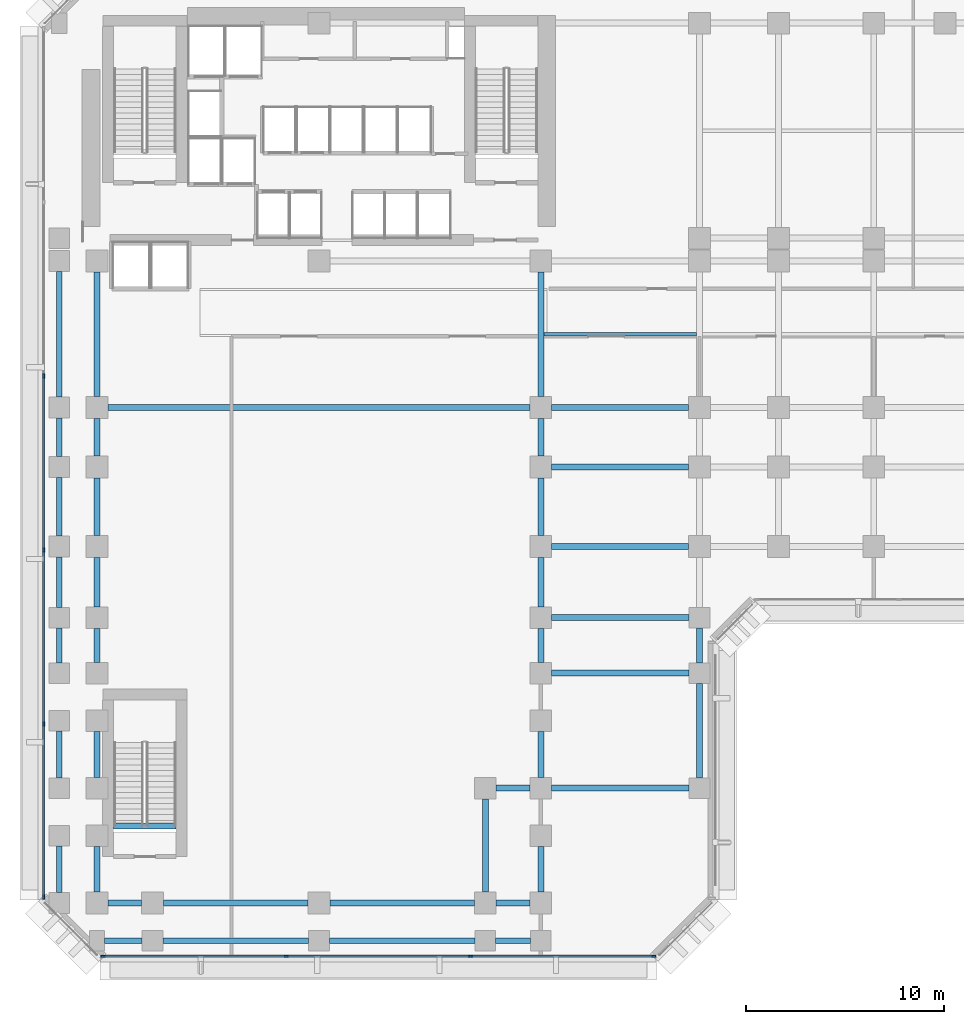
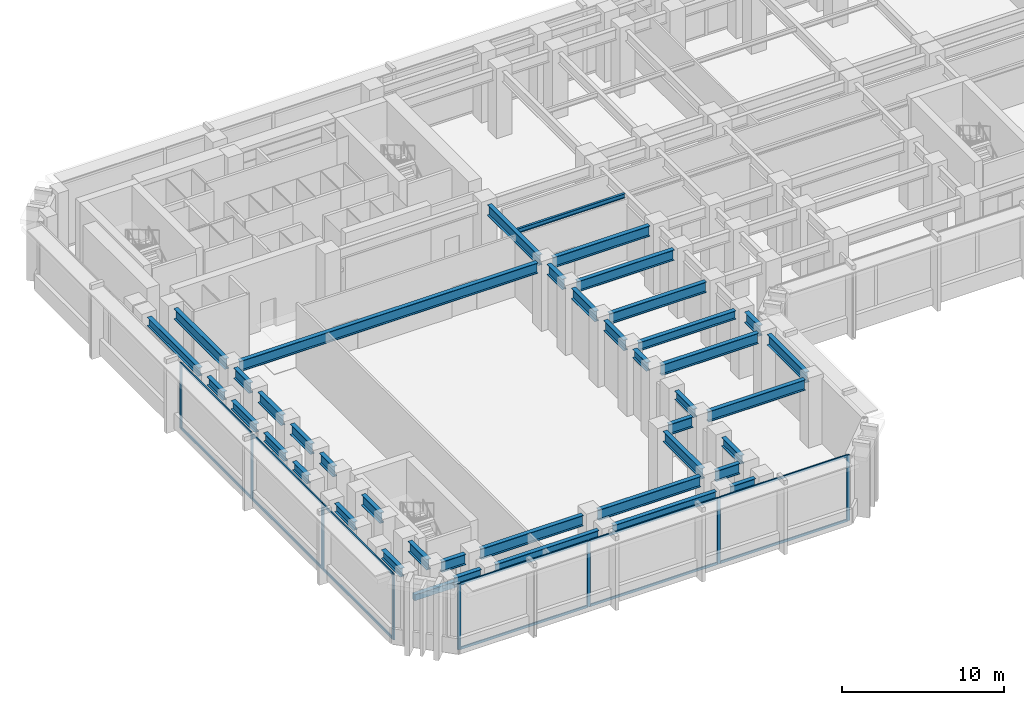
# One storey, part 2 of 16: 42 beams, 20 members, 2 elements without a shape of their own.
"""IFC4 building model written with IfcOpenShell, lengths in metres."""

from ifc_helpers import new_model, si_unit, direction, frame, origin, origin_2d, place, context, subcontext, project, spatial, rectangle, i_section, extrude, material, layer, layer_set, material_profile, profile_set, type_object, element, aggregate, save


model = new_model("IFC4")

# Units and contexts
model_context = context("Model", 3, precision=1e-05, world=origin(), true_north=direction((0.0, 1.0)))
body_context = subcontext(model_context, "Body", "Model", "MODEL_VIEW")
ifc_project = project(units=[si_unit("LENGTHUNIT", "METRE"), si_unit("AREAUNIT", "SQUARE_METRE"), si_unit("VOLUMEUNIT", "CUBIC_METRE"), si_unit("PLANEANGLEUNIT", "RADIAN"), si_unit("MASSUNIT", "GRAM", prefix="KILO")], contexts=[model_context])

# Site, building, storey
site_placement = place(None, origin())
site = spatial("IfcSite", under=ifc_project, at=site_placement, CompositionType="ELEMENT")
building_placement = place(site_placement, origin())
building = spatial("IfcBuilding", under=site, at=building_placement, Name="Kefirva Bronze Tower", CompositionType="ELEMENT")
storey_placement = place(building_placement, frame((0.0, 0.0, 11.219970703125)))
storey = spatial("IfcBuildingStorey", under=building, at=storey_placement, Name="L02", CompositionType="ELEMENT", Elevation=11.219970703125)

# Curtain wall, members
ifc_material_1 = material(Name="Bronze anodised aluminium", Category="aluminium")
ifc_layer = layer(ifc_material_1, 0.239990234375, Name="Bronze anodised aluminium")
ifc_layer_set = layer_set([ifc_layer], Name="Bronze anodised aluminium")
curtain_wall_type = type_object("IfcCurtainWallType", Name="Podium Double-Height Glazed Curtain Wall", PredefinedType="USERDEFINED", material=ifc_layer_set)
curtain_wall_1_placement = place(storey_placement, origin())
curtain_wall_1 = element("IfcCurtainWall", 1, at=curtain_wall_1_placement, inside=storey, type_object=curtain_wall_type, Name="L02 Curtain Wall 1", ObjectType="UNITISED CURTAIN WALL", PredefinedType="USERDEFINED")
ifc_material_profile_1 = material_profile(ifc_material_1, rectangle(XDim=0.090087890625, YDim=0.219970703125, at=origin_2d()), Name="ALU 90x220")
ifc_profile_set_1 = profile_set([ifc_material_profile_1], Name="Bronze anodised aluminium")
member_type_1 = type_object("IfcMemberType", Name="Bronze Mullion 90x220", PredefinedType="MULLION", material=ifc_profile_set_1)
member_1_placement = place(storey_placement, frame((1.10009765625, -1.8798828125, 0.0), z_axis=(0.0, 0.0, 1.0), x_axis=(0.0, 1.0, 0.0)))
member_1 = element("IfcMember", 2, at=member_1_placement, type_object=member_type_1, Name="CW-05 mullion 1", PredefinedType="MULLION", context=body_context, shape_type="SweptSolid", body=[
    extrude(rectangle(XDim=0.090087890625, YDim=0.219970703125, at=origin_2d()), origin(), (0.0, 0.0, 1.0), 4.9599609375),
])
member_2_placement = place(storey_placement, frame((10.3515625, -1.8798828125, 0.0), z_axis=(0.0, 0.0, 1.0), x_axis=(0.0, 1.0, 0.0)))
member_2 = element("IfcMember", 3, at=member_2_placement, type_object=member_type_1, Name="CW-05 mullion 2", PredefinedType="MULLION", context=body_context, shape_type="SweptSolid", body=[
    extrude(rectangle(XDim=0.090087890625, YDim=0.219970703125, at=origin_2d()), origin(), (0.0, 0.0, 1.0), 4.9599609375),
])
member_3_placement = place(storey_placement, frame((19.6484375, -1.8798828125, 0.0), z_axis=(0.0, 0.0, 1.0), x_axis=(0.0, 1.0, 0.0)))
member_3 = element("IfcMember", 4, at=member_3_placement, type_object=member_type_1, Name="CW-05 mullion 3", PredefinedType="MULLION", context=body_context, shape_type="SweptSolid", body=[
    extrude(rectangle(XDim=0.090087890625, YDim=0.219970703125, at=origin_2d()), origin(), (0.0, 0.0, 1.0), 4.9599609375),
])
member_4_placement = place(storey_placement, frame((28.89990234375, -1.8798828125, 0.0), z_axis=(0.0, 0.0, 1.0), x_axis=(0.0, 1.0, 0.0)))
member_4 = element("IfcMember", 5, at=member_4_placement, type_object=member_type_1, Name="CW-05 mullion 4", PredefinedType="MULLION", context=body_context, shape_type="SweptSolid", body=[
    extrude(rectangle(XDim=0.090087890625, YDim=0.219970703125, at=origin_2d()), origin(), (0.0, 0.0, 1.0), 4.9599609375),
])

curtain_wall_2_placement = place(storey_placement, origin())
curtain_wall_2 = element("IfcCurtainWall", 6, at=curtain_wall_2_placement, inside=storey, type_object=curtain_wall_type, Name="L02 Curtain Wall 4", ObjectType="UNITISED CURTAIN WALL", PredefinedType="USERDEFINED")
member_5_placement = place(storey_placement, frame((-1.8798828125, 27.388916015625, 0.0), z_axis=(0.0, 0.0, 1.0), x_axis=(1.0, 0.0, 0.0)))
member_5 = element("IfcMember", 7, at=member_5_placement, type_object=member_type_1, Name="CW-05 mullion 3", PredefinedType="MULLION", context=body_context, shape_type="SweptSolid", body=[
    extrude(rectangle(XDim=0.090087890625, YDim=0.219970703125, at=origin_2d()), origin(), (0.0, 0.0, 1.0), 4.9599609375),
])
member_6_placement = place(storey_placement, frame((-1.8798828125, 18.611083984375, 0.0), z_axis=(0.0, 0.0, 1.0), x_axis=(1.0, 0.0, 0.0)))
member_6 = element("IfcMember", 8, at=member_6_placement, type_object=member_type_1, Name="CW-05 mullion 4", PredefinedType="MULLION", context=body_context, shape_type="SweptSolid", body=[
    extrude(rectangle(XDim=0.090087890625, YDim=0.219970703125, at=origin_2d()), origin(), (0.0, 0.0, 1.0), 4.9599609375),
])
member_7_placement = place(storey_placement, frame((-1.8798828125, 9.8330078125, 0.0), z_axis=(0.0, 0.0, 1.0), x_axis=(1.0, 0.0, 0.0)))
member_7 = element("IfcMember", 9, at=member_7_placement, type_object=member_type_1, Name="CW-05 mullion 5", PredefinedType="MULLION", context=body_context, shape_type="SweptSolid", body=[
    extrude(rectangle(XDim=0.090087890625, YDim=0.219970703125, at=origin_2d()), origin(), (0.0, 0.0, 1.0), 4.9599609375),
])
member_8_placement = place(storey_placement, frame((-1.8798828125, 1.10009765625, 0.0), z_axis=(0.0, 0.0, 1.0), x_axis=(1.0, 0.0, 0.0)))
member_8 = element("IfcMember", 10, at=member_8_placement, type_object=member_type_1, Name="CW-05 mullion 6", PredefinedType="MULLION", context=body_context, shape_type="SweptSolid", body=[
    extrude(rectangle(XDim=0.090087890625, YDim=0.219970703125, at=origin_2d()), origin(), (0.0, 0.0, 1.0), 4.9599609375),
])

# Member
ifc_material_profile_2 = material_profile(ifc_material_1, rectangle(XDim=0.090087890625, YDim=0.179931640625, at=origin_2d()), Name="ALU 90x180")
ifc_profile_set_2 = profile_set([ifc_material_profile_2], Name="Bronze anodised aluminium")
member_type_2 = type_object("IfcMemberType", Name="Bronze Transom 90x180", PredefinedType="USERDEFINED", material=ifc_profile_set_2)
member_9_placement = place(storey_placement, frame((1.14501953125, -1.8798828125, 0.044921875), z_axis=(1.0, 0.0, 0.0), x_axis=(0.0, 1.0, 0.0)))
member_9 = element("IfcMember", 11, at=member_9_placement, type_object=member_type_2, Name="CW-05 transom 1.1", ObjectType="TRANSOM", PredefinedType="USERDEFINED", context=body_context, shape_type="SweptSolid", body=[
    extrude(rectangle(XDim=0.090087890625, YDim=0.179931640625, at=origin_2d()), origin(), (0.0, 0.0, 1.0), 9.16162109375),
])

member_10_placement = place(storey_placement, frame((1.14501953125, -1.8798828125, 4.9150390625), z_axis=(1.0, 0.0, 0.0), x_axis=(0.0, 1.0, 0.0)))
member_10 = element("IfcMember", 12, at=member_10_placement, type_object=member_type_2, Name="CW-05 transom 1.2", ObjectType="TRANSOM", PredefinedType="USERDEFINED", context=body_context, shape_type="SweptSolid", body=[
    extrude(rectangle(XDim=0.090087890625, YDim=0.179931640625, at=origin_2d()), origin(), (0.0, 0.0, 1.0), 9.16162109375),
])

member_11_placement = place(storey_placement, frame((10.396728515625, -1.8798828125, 0.044921875), z_axis=(1.0, 0.0, 0.0), x_axis=(0.0, 1.0, 0.0)))
member_11 = element("IfcMember", 13, at=member_11_placement, type_object=member_type_2, Name="CW-05 transom 2.1", ObjectType="TRANSOM", PredefinedType="USERDEFINED", context=body_context, shape_type="SweptSolid", body=[
    extrude(rectangle(XDim=0.090087890625, YDim=0.179931640625, at=origin_2d()), origin(), (0.0, 0.0, 1.0), 9.20654296875),
])

member_12_placement = place(storey_placement, frame((10.396728515625, -1.8798828125, 4.9150390625), z_axis=(1.0, 0.0, 0.0), x_axis=(0.0, 1.0, 0.0)))
member_12 = element("IfcMember", 14, at=member_12_placement, type_object=member_type_2, Name="CW-05 transom 2.2", ObjectType="TRANSOM", PredefinedType="USERDEFINED", context=body_context, shape_type="SweptSolid", body=[
    extrude(rectangle(XDim=0.090087890625, YDim=0.179931640625, at=origin_2d()), origin(), (0.0, 0.0, 1.0), 9.20654296875),
])

member_13_placement = place(storey_placement, frame((19.693359375, -1.8798828125, 0.044921875), z_axis=(1.0, 0.0, 0.0), x_axis=(0.0, 1.0, 0.0)))
member_13 = element("IfcMember", 15, at=member_13_placement, type_object=member_type_2, Name="CW-05 transom 3.1", ObjectType="TRANSOM", PredefinedType="USERDEFINED", context=body_context, shape_type="SweptSolid", body=[
    extrude(rectangle(XDim=0.090087890625, YDim=0.179931640625, at=origin_2d()), origin(), (0.0, 0.0, 1.0), 9.16162109375),
])

member_14_placement = place(storey_placement, frame((19.693359375, -1.8798828125, 4.9150390625), z_axis=(1.0, 0.0, 0.0), x_axis=(0.0, 1.0, 0.0)))
member_14 = element("IfcMember", 16, at=member_14_placement, type_object=member_type_2, Name="CW-05 transom 3.2", ObjectType="TRANSOM", PredefinedType="USERDEFINED", context=body_context, shape_type="SweptSolid", body=[
    extrude(rectangle(XDim=0.090087890625, YDim=0.179931640625, at=origin_2d()), origin(), (0.0, 0.0, 1.0), 9.16162109375),
])

aggregate(curtain_wall_1, [member_1, member_2, member_3, member_4, member_9, member_10, member_11, member_12, member_13, member_14])

member_15_placement = place(storey_placement, frame((-1.8798828125, 27.343994140625, 0.044921875), z_axis=(0.0, -1.0, 0.0), x_axis=(1.0, 0.0, 0.0)))
member_15 = element("IfcMember", 17, at=member_15_placement, type_object=member_type_2, Name="CW-05 transom 3.1", ObjectType="TRANSOM", PredefinedType="USERDEFINED", context=body_context, shape_type="SweptSolid", body=[
    extrude(rectangle(XDim=0.090087890625, YDim=0.179931640625, at=origin_2d()), origin(), (0.0, 0.0, 1.0), 8.68798828125),
])

member_16_placement = place(storey_placement, frame((-1.8798828125, 27.343994140625, 4.9150390625), z_axis=(0.0, -1.0, 0.0), x_axis=(1.0, 0.0, 0.0)))
member_16 = element("IfcMember", 18, at=member_16_placement, type_object=member_type_2, Name="CW-05 transom 3.2", ObjectType="TRANSOM", PredefinedType="USERDEFINED", context=body_context, shape_type="SweptSolid", body=[
    extrude(rectangle(XDim=0.090087890625, YDim=0.179931640625, at=origin_2d()), origin(), (0.0, 0.0, 1.0), 8.68798828125),
])

member_17_placement = place(storey_placement, frame((-1.8798828125, 18.56591796875, 0.044921875), z_axis=(0.0, -1.0, 0.0), x_axis=(1.0, 0.0, 0.0)))
member_17 = element("IfcMember", 19, at=member_17_placement, type_object=member_type_2, Name="CW-05 transom 4.1", ObjectType="TRANSOM", PredefinedType="USERDEFINED", context=body_context, shape_type="SweptSolid", body=[
    extrude(rectangle(XDim=0.090087890625, YDim=0.179931640625, at=origin_2d()), origin(), (0.0, 0.0, 1.0), 8.68798828125),
])

member_18_placement = place(storey_placement, frame((-1.8798828125, 18.56591796875, 4.9150390625), z_axis=(0.0, -1.0, 0.0), x_axis=(1.0, 0.0, 0.0)))
member_18 = element("IfcMember", 20, at=member_18_placement, type_object=member_type_2, Name="CW-05 transom 4.2", ObjectType="TRANSOM", PredefinedType="USERDEFINED", context=body_context, shape_type="SweptSolid", body=[
    extrude(rectangle(XDim=0.090087890625, YDim=0.179931640625, at=origin_2d()), origin(), (0.0, 0.0, 1.0), 8.68798828125),
])

member_19_placement = place(storey_placement, frame((-1.8798828125, 9.7880859375, 0.044921875), z_axis=(0.0, -1.0, 0.0), x_axis=(1.0, 0.0, 0.0)))
member_19 = element("IfcMember", 21, at=member_19_placement, type_object=member_type_2, Name="CW-05 transom 5.1", ObjectType="TRANSOM", PredefinedType="USERDEFINED", context=body_context, shape_type="SweptSolid", body=[
    extrude(rectangle(XDim=0.090087890625, YDim=0.179931640625, at=origin_2d()), origin(), (0.0, 0.0, 1.0), 8.64306640625),
])

member_20_placement = place(storey_placement, frame((-1.8798828125, 9.7880859375, 4.9150390625), z_axis=(0.0, -1.0, 0.0), x_axis=(1.0, 0.0, 0.0)))
member_20 = element("IfcMember", 22, at=member_20_placement, type_object=member_type_2, Name="CW-05 transom 5.2", ObjectType="TRANSOM", PredefinedType="USERDEFINED", context=body_context, shape_type="SweptSolid", body=[
    extrude(rectangle(XDim=0.090087890625, YDim=0.179931640625, at=origin_2d()), origin(), (0.0, 0.0, 1.0), 8.64306640625),
])

aggregate(curtain_wall_2, [member_5, member_6, member_7, member_8, member_15, member_16, member_17, member_18, member_19, member_20])

# Beams
ifc_material_2 = material(Name="Concrete C50/60", Category="concrete")
ifc_material_profile_3 = material_profile(ifc_material_2, rectangle(XDim=0.300048828125, YDim=0.449951171875, at=origin_2d()), Name="RC 300x450")
ifc_profile_set_3 = profile_set([ifc_material_profile_3], Name="Concrete C50/60")
beam_type_1 = type_object("IfcBeamType", Name="RC Stair Trimmer Beam 300x450", PredefinedType="BEAM", material=ifc_profile_set_3)
beam_1_placement = place(storey_placement, frame((1.64501953125, 4.699951171875, -0.224853515625), z_axis=(1.0, 0.0, 0.0), x_axis=(0.0, 1.0, 0.0)))
element("IfcBeam", 23, at=beam_1_placement, inside=storey, type_object=beam_type_1, Name="L02 Stair 3 Landing Trimmer Beam", PredefinedType="BEAM", context=body_context, shape_type="SweptSolid", body=[
    extrude(rectangle(XDim=0.300048828125, YDim=0.449951171875, at=origin_2d()), origin(), (0.0, 0.0, 1.0), 3.14990234375),
])
ifc_material_3 = material(Name="Steel S355", Category="steel")
ifc_material_profile_4 = material_profile(ifc_material_3, i_section(OverallWidth=0.159912109375, OverallDepth=0.330078125, WebThickness=0.007568359375, FlangeThickness=0.011474609375, at=origin_2d()), Name="IPE 330")
ifc_profile_set_4 = profile_set([ifc_material_profile_4], Name="Steel S355")
beam_type_2 = type_object("IfcBeamType", Name="Steel Floor Joist IPE 330", PredefinedType="JOIST", material=ifc_profile_set_4)
beam_2_placement = place(storey_placement, frame((23.35009765625, 29.5, 4.794921875), z_axis=(1.0, 0.0, 0.0), x_axis=(0.0, 1.0, 0.0)))
element("IfcBeam", 24, at=beam_2_placement, inside=storey, type_object=beam_type_2, Name="L02 JST-L02-23-295", PredefinedType="JOIST", context=body_context, shape_type="SweptSolid", body=[
    extrude(i_section(OverallWidth=0.159912109375, OverallDepth=0.330078125, WebThickness=0.007568359375, FlangeThickness=0.011474609375, at=origin_2d()), origin(), (0.0, 0.0, 1.0), 7.699951171875),
])
ifc_material_profile_5 = material_profile(ifc_material_3, i_section(OverallWidth=0.300048828125, OverallDepth=0.800048828125, WebThickness=0.017578125, FlangeThickness=0.032958984375, at=origin_2d()), Name="HEB 800")
ifc_profile_set_5 = profile_set([ifc_material_profile_5], Name="Steel S355")
beam_type_3 = type_object("IfcBeamType", Name="Steel Girder HEB 800", PredefinedType="USERDEFINED", material=ifc_profile_set_5)
beam_3_placement = place(storey_placement, frame((1.35009765625, 0.800048828125, 4.56005859375), z_axis=(1.0, 0.0, 0.0), x_axis=(0.0, 1.0, 0.0)))
element("IfcBeam", 25, at=beam_3_placement, inside=storey, type_object=beam_type_3, Name="L02 BM-L02-EW-0-8", ObjectType="GIRDER", PredefinedType="USERDEFINED", context=body_context, shape_type="SweptSolid", body=[
    extrude(i_section(OverallWidth=0.300048828125, OverallDepth=0.800048828125, WebThickness=0.017578125, FlangeThickness=0.032958984375, at=origin_2d()), origin(), (0.0, 0.0, 1.0), 1.699951171875),
])
for number, where, z_axis, x_axis, name in (
    (26, (4.14990234375, 0.800048828125, 4.56005859375), (1.0, 0.0, 0.0), (0.0, 1.0, 0.0), "L02 BM-L02-EW-3-8"),
    (27, (12.550048828125, 0.800048828125, 4.56005859375), (1.0, 0.0, 0.0), (0.0, 1.0, 0.0), "L02 BM-L02-EW-12-8"),
):
    element("IfcBeam", number, at=place(storey_placement, frame(where, z_axis=z_axis, x_axis=x_axis)), inside=storey, type_object=beam_type_3, Name=name, ObjectType="GIRDER", PredefinedType="USERDEFINED", context=body_context, shape_type="SweptSolid", body=[
        extrude(i_section(OverallWidth=0.300048828125, OverallDepth=0.800048828125, WebThickness=0.017578125, FlangeThickness=0.032958984375, at=origin_2d()), origin(), (0.0, 0.0, 1.0), 7.300048828125),
    ])
for number, where, z_axis, x_axis, name in (
    (28, (20.949951171875, 0.800048828125, 4.56005859375), (1.0, 0.0, 0.0), (0.0, 1.0, 0.0), "L02 BM-L02-EW-20-8"),
    (29, (20.949951171875, 6.60009765625, 4.56005859375), (1.0, 0.0, 0.0), (0.0, 1.0, 0.0), "L02 BM-L02-EW-20-66"),
):
    element("IfcBeam", number, at=place(storey_placement, frame(where, z_axis=z_axis, x_axis=x_axis)), inside=storey, type_object=beam_type_3, Name=name, ObjectType="GIRDER", PredefinedType="USERDEFINED", context=body_context, shape_type="SweptSolid", body=[
        extrude(i_section(OverallWidth=0.300048828125, OverallDepth=0.800048828125, WebThickness=0.017578125, FlangeThickness=0.032958984375, at=origin_2d()), origin(), (0.0, 0.0, 1.0), 1.699951171875),
    ])
for number, where, z_axis, x_axis, name in (
    (30, (23.75, 6.60009765625, 4.56005859375), (1.0, 0.0, 0.0), (0.0, 1.0, 0.0), "L02 BM-L02-EW-23-66"),
    (31, (23.75, 12.39990234375, 4.56005859375), (1.0, 0.0, 0.0), (0.0, 1.0, 0.0), "L02 BM-L02-EW-23-124"),
):
    element("IfcBeam", number, at=place(storey_placement, frame(where, z_axis=z_axis, x_axis=x_axis)), inside=storey, type_object=beam_type_3, Name=name, ObjectType="GIRDER", PredefinedType="USERDEFINED", context=body_context, shape_type="SweptSolid", body=[
        extrude(i_section(OverallWidth=0.300048828125, OverallDepth=0.800048828125, WebThickness=0.017578125, FlangeThickness=0.032958984375, at=origin_2d()), origin(), (0.0, 0.0, 1.0), 6.925048828125),
    ])
for number, where, z_axis, x_axis, name in (
    (32, (23.75, 18.800048828125, 4.56005859375), (1.0, 0.0, 0.0), (0.0, 1.0, 0.0), "L02 BM-L02-EW-23-188"),
    (33, (23.75, 22.800048828125, 4.56005859375), (1.0, 0.0, 0.0), (0.0, 1.0, 0.0), "L02 BM-L02-EW-23-228"),
):
    element("IfcBeam", number, at=place(storey_placement, frame(where, z_axis=z_axis, x_axis=x_axis)), inside=storey, type_object=beam_type_3, Name=name, ObjectType="GIRDER", PredefinedType="USERDEFINED", context=body_context, shape_type="SweptSolid", body=[
        extrude(i_section(OverallWidth=0.300048828125, OverallDepth=0.800048828125, WebThickness=0.017578125, FlangeThickness=0.032958984375, at=origin_2d()), origin(), (0.0, 0.0, 1.0), 6.89990234375),
    ])
beam_4_placement = place(storey_placement, frame((1.35009765625, 25.800048828125, 4.56005859375), z_axis=(1.0, 0.0, 0.0), x_axis=(0.0, 1.0, 0.0)))
element("IfcBeam", 34, at=beam_4_placement, inside=storey, type_object=beam_type_3, Name="L02 BM-L02-EW-0-258", ObjectType="GIRDER", PredefinedType="USERDEFINED", context=body_context, shape_type="SweptSolid", body=[
    extrude(i_section(OverallWidth=0.300048828125, OverallDepth=0.800048828125, WebThickness=0.017578125, FlangeThickness=0.032958984375, at=origin_2d()), origin(), (0.0, 0.0, 1.0), 21.2998046875),
])
beam_5_placement = place(storey_placement, frame((23.75, 25.800048828125, 4.56005859375), z_axis=(1.0, 0.0, 0.0), x_axis=(0.0, 1.0, 0.0)))
element("IfcBeam", 35, at=beam_5_placement, inside=storey, type_object=beam_type_3, Name="L02 BM-L02-EW-23-258", ObjectType="GIRDER", PredefinedType="USERDEFINED", context=body_context, shape_type="SweptSolid", body=[
    extrude(i_section(OverallWidth=0.300048828125, OverallDepth=0.800048828125, WebThickness=0.017578125, FlangeThickness=0.032958984375, at=origin_2d()), origin(), (0.0, 0.0, 1.0), 6.89990234375),
])
beam_6_placement = place(storey_placement, frame((0.800048828125, 1.35009765625, 4.56005859375), z_axis=(0.0, 1.0, 0.0), x_axis=(-1.0, 0.0, 0.0)))
element("IfcBeam", 36, at=beam_6_placement, inside=storey, type_object=beam_type_3, Name="L02 BM-L02-NS-8-0", ObjectType="GIRDER", PredefinedType="USERDEFINED", context=body_context, shape_type="SweptSolid", body=[
    extrude(i_section(OverallWidth=0.300048828125, OverallDepth=0.800048828125, WebThickness=0.017578125, FlangeThickness=0.032958984375, at=origin_2d()), origin(), (0.0, 0.0, 1.0), 2.2998046875),
])
beam_7_placement = place(storey_placement, frame((0.800048828125, 7.14990234375, 4.56005859375), z_axis=(0.0, 1.0, 0.0), x_axis=(-1.0, 0.0, 0.0)))
element("IfcBeam", 37, at=beam_7_placement, inside=storey, type_object=beam_type_3, Name="L02 BM-L02-NS-8-6", ObjectType="GIRDER", PredefinedType="USERDEFINED", context=body_context, shape_type="SweptSolid", body=[
    extrude(i_section(OverallWidth=0.300048828125, OverallDepth=0.800048828125, WebThickness=0.017578125, FlangeThickness=0.032958984375, at=origin_2d()), origin(), (0.0, 0.0, 1.0), 2.300048828125),
])
beam_8_placement = place(storey_placement, frame((0.800048828125, 12.949951171875, 4.56005859375), z_axis=(0.0, 1.0, 0.0), x_axis=(-1.0, 0.0, 0.0)))
element("IfcBeam", 38, at=beam_8_placement, inside=storey, type_object=beam_type_3, Name="L02 BM-L02-NS-8-12", ObjectType="GIRDER", PredefinedType="USERDEFINED", context=body_context, shape_type="SweptSolid", body=[
    extrude(i_section(OverallWidth=0.300048828125, OverallDepth=0.800048828125, WebThickness=0.017578125, FlangeThickness=0.032958984375, at=origin_2d()), origin(), (0.0, 0.0, 1.0), 1.699951171875),
])
beam_9_placement = place(storey_placement, frame((0.800048828125, 15.75, 4.56005859375), z_axis=(0.0, 1.0, 0.0), x_axis=(-1.0, 0.0, 0.0)))
element("IfcBeam", 39, at=beam_9_placement, inside=storey, type_object=beam_type_3, Name="L02 BM-L02-NS-8-15", ObjectType="GIRDER", PredefinedType="USERDEFINED", context=body_context, shape_type="SweptSolid", body=[
    extrude(i_section(OverallWidth=0.300048828125, OverallDepth=0.800048828125, WebThickness=0.017578125, FlangeThickness=0.032958984375, at=origin_2d()), origin(), (0.0, 0.0, 1.0), 2.5),
])
beam_10_placement = place(storey_placement, frame((0.800048828125, 19.35009765625, 4.56005859375), z_axis=(0.0, 1.0, 0.0), x_axis=(-1.0, 0.0, 0.0)))
element("IfcBeam", 40, at=beam_10_placement, inside=storey, type_object=beam_type_3, Name="L02 BM-L02-NS-8-18", ObjectType="GIRDER", PredefinedType="USERDEFINED", context=body_context, shape_type="SweptSolid", body=[
    extrude(i_section(OverallWidth=0.300048828125, OverallDepth=0.800048828125, WebThickness=0.017578125, FlangeThickness=0.032958984375, at=origin_2d()), origin(), (0.0, 0.0, 1.0), 2.89990234375),
])
beam_11_placement = place(storey_placement, frame((0.800048828125, 23.35009765625, 4.56005859375), z_axis=(0.0, 1.0, 0.0), x_axis=(-1.0, 0.0, 0.0)))
element("IfcBeam", 41, at=beam_11_placement, inside=storey, type_object=beam_type_3, Name="L02 BM-L02-NS-8-22", ObjectType="GIRDER", PredefinedType="USERDEFINED", context=body_context, shape_type="SweptSolid", body=[
    extrude(i_section(OverallWidth=0.300048828125, OverallDepth=0.800048828125, WebThickness=0.017578125, FlangeThickness=0.032958984375, at=origin_2d()), origin(), (0.0, 0.0, 1.0), 1.89990234375),
])
beam_12_placement = place(storey_placement, frame((0.800048828125, 26.35009765625, 4.56005859375), z_axis=(0.0, 1.0, 0.0), x_axis=(-1.0, 0.0, 0.0)))
element("IfcBeam", 42, at=beam_12_placement, inside=storey, type_object=beam_type_3, Name="L02 BM-L02-NS-8-25", ObjectType="GIRDER", PredefinedType="USERDEFINED", context=body_context, shape_type="SweptSolid", body=[
    extrude(i_section(OverallWidth=0.300048828125, OverallDepth=0.800048828125, WebThickness=0.017578125, FlangeThickness=0.032958984375, at=origin_2d()), origin(), (0.0, 0.0, 1.0), 6.2998046875),
])
beam_13_placement = place(storey_placement, frame((20.39990234375, 1.35009765625, 4.56005859375), z_axis=(0.0, 1.0, 0.0), x_axis=(-1.0, 0.0, 0.0)))
element("IfcBeam", 43, at=beam_13_placement, inside=storey, type_object=beam_type_3, Name="L02 BM-L02-NS-204-0", ObjectType="GIRDER", PredefinedType="USERDEFINED", context=body_context, shape_type="SweptSolid", body=[
    extrude(i_section(OverallWidth=0.300048828125, OverallDepth=0.800048828125, WebThickness=0.017578125, FlangeThickness=0.032958984375, at=origin_2d()), origin(), (0.0, 0.0, 1.0), 4.699951171875),
])
beam_14_placement = place(storey_placement, frame((23.199951171875, 15.75, 4.56005859375), z_axis=(0.0, 1.0, 0.0), x_axis=(-1.0, 0.0, 0.0)))
element("IfcBeam", 44, at=beam_14_placement, inside=storey, type_object=beam_type_3, Name="L02 BM-L02-NS-232-15", ObjectType="GIRDER", PredefinedType="USERDEFINED", context=body_context, shape_type="SweptSolid", body=[
    extrude(i_section(OverallWidth=0.300048828125, OverallDepth=0.800048828125, WebThickness=0.017578125, FlangeThickness=0.032958984375, at=origin_2d()), origin(), (0.0, 0.0, 1.0), 2.5),
])
beam_15_placement = place(storey_placement, frame((23.199951171875, 19.35009765625, 4.56005859375), z_axis=(0.0, 1.0, 0.0), x_axis=(-1.0, 0.0, 0.0)))
element("IfcBeam", 45, at=beam_15_placement, inside=storey, type_object=beam_type_3, Name="L02 BM-L02-NS-232-18", ObjectType="GIRDER", PredefinedType="USERDEFINED", context=body_context, shape_type="SweptSolid", body=[
    extrude(i_section(OverallWidth=0.300048828125, OverallDepth=0.800048828125, WebThickness=0.017578125, FlangeThickness=0.032958984375, at=origin_2d()), origin(), (0.0, 0.0, 1.0), 2.89990234375),
])
beam_16_placement = place(storey_placement, frame((23.199951171875, 23.35009765625, 4.56005859375), z_axis=(0.0, 1.0, 0.0), x_axis=(-1.0, 0.0, 0.0)))
element("IfcBeam", 46, at=beam_16_placement, inside=storey, type_object=beam_type_3, Name="L02 BM-L02-NS-232-22", ObjectType="GIRDER", PredefinedType="USERDEFINED", context=body_context, shape_type="SweptSolid", body=[
    extrude(i_section(OverallWidth=0.300048828125, OverallDepth=0.800048828125, WebThickness=0.017578125, FlangeThickness=0.032958984375, at=origin_2d()), origin(), (0.0, 0.0, 1.0), 1.89990234375),
])
beam_17_placement = place(storey_placement, frame((23.199951171875, 26.35009765625, 4.56005859375), z_axis=(0.0, 1.0, 0.0), x_axis=(-1.0, 0.0, 0.0)))
element("IfcBeam", 47, at=beam_17_placement, inside=storey, type_object=beam_type_3, Name="L02 BM-L02-NS-232-25", ObjectType="GIRDER", PredefinedType="USERDEFINED", context=body_context, shape_type="SweptSolid", body=[
    extrude(i_section(OverallWidth=0.300048828125, OverallDepth=0.800048828125, WebThickness=0.017578125, FlangeThickness=0.032958984375, at=origin_2d()), origin(), (0.0, 0.0, 1.0), 6.2998046875),
])
beam_18_placement = place(storey_placement, frame((31.199951171875, 7.125, 4.56005859375), z_axis=(0.0, 1.0, 0.0), x_axis=(-1.0, 0.0, 0.0)))
element("IfcBeam", 48, at=beam_18_placement, inside=storey, type_object=beam_type_3, Name="L02 BM-L02-NS-312-6", ObjectType="GIRDER", PredefinedType="USERDEFINED", context=body_context, shape_type="SweptSolid", body=[
    extrude(i_section(OverallWidth=0.300048828125, OverallDepth=0.800048828125, WebThickness=0.017578125, FlangeThickness=0.032958984375, at=origin_2d()), origin(), (0.0, 0.0, 1.0), 4.75),
])
beam_19_placement = place(storey_placement, frame((31.199951171875, 12.925048828125, 4.56005859375), z_axis=(0.0, 1.0, 0.0), x_axis=(-1.0, 0.0, 0.0)))
element("IfcBeam", 49, at=beam_19_placement, inside=storey, type_object=beam_type_3, Name="L02 BM-L02-NS-312-12", ObjectType="GIRDER", PredefinedType="USERDEFINED", context=body_context, shape_type="SweptSolid", body=[
    extrude(i_section(OverallWidth=0.300048828125, OverallDepth=0.800048828125, WebThickness=0.017578125, FlangeThickness=0.032958984375, at=origin_2d()), origin(), (0.0, 0.0, 1.0), 1.75),
])
ifc_material_profile_6 = material_profile(ifc_material_3, i_section(OverallWidth=0.300048828125, OverallDepth=0.64990234375, WebThickness=0.01611328125, FlangeThickness=0.031005859375, at=origin_2d()), Name="HEB 650")
ifc_profile_set_6 = profile_set([ifc_material_profile_6], Name="Steel S355")
beam_type_4 = type_object("IfcBeamType", Name="Steel Spandrel HEB 650 Ext", PredefinedType="SPANDREL", material=ifc_profile_set_6)
beam_20_placement = place(storey_placement, frame((1.179931640625, -1.10009765625, 4.635009765625), z_axis=(1.0, 0.0, 0.0), x_axis=(0.0, 1.0, 0.0)))
element("IfcBeam", 50, at=beam_20_placement, inside=storey, type_object=beam_type_4, Name="L02 BM-L02-EW-0--11", PredefinedType="SPANDREL", context=body_context, shape_type="SweptSolid", body=[
    extrude(i_section(OverallWidth=0.300048828125, OverallDepth=0.64990234375, WebThickness=0.01611328125, FlangeThickness=0.031005859375, at=origin_2d()), origin(), (0.0, 0.0, 1.0), 1.89501953125),
])
for number, where, z_axis, x_axis, name in (
    (51, (4.125, -1.10009765625, 4.635009765625), (1.0, 0.0, 0.0), (0.0, 1.0, 0.0), "L02 BM-L02-EW-3--11"),
    (52, (12.52490234375, -1.10009765625, 4.635009765625), (1.0, 0.0, 0.0), (0.0, 1.0, 0.0), "L02 BM-L02-EW-12--11"),
):
    element("IfcBeam", number, at=place(storey_placement, frame(where, z_axis=z_axis, x_axis=x_axis)), inside=storey, type_object=beam_type_4, Name=name, PredefinedType="SPANDREL", context=body_context, shape_type="SweptSolid", body=[
        extrude(i_section(OverallWidth=0.300048828125, OverallDepth=0.64990234375, WebThickness=0.01611328125, FlangeThickness=0.031005859375, at=origin_2d()), origin(), (0.0, 0.0, 1.0), 7.35009765625),
    ])
beam_21_placement = place(storey_placement, frame((20.925048828125, -1.10009765625, 4.635009765625), z_axis=(1.0, 0.0, 0.0), x_axis=(0.0, 1.0, 0.0)))
element("IfcBeam", 53, at=beam_21_placement, inside=storey, type_object=beam_type_4, Name="L02 BM-L02-EW-20--11", PredefinedType="SPANDREL", context=body_context, shape_type="SweptSolid", body=[
    extrude(i_section(OverallWidth=0.300048828125, OverallDepth=0.64990234375, WebThickness=0.01611328125, FlangeThickness=0.031005859375, at=origin_2d()), origin(), (0.0, 0.0, 1.0), 1.75),
])
beam_22_placement = place(storey_placement, frame((23.75, 15.199951171875, 4.635009765625), z_axis=(1.0, 0.0, 0.0), x_axis=(0.0, 1.0, 0.0)))
element("IfcBeam", 54, at=beam_22_placement, inside=storey, type_object=beam_type_4, Name="L02 BM-L02-EW-23-152", PredefinedType="SPANDREL", context=body_context, shape_type="SweptSolid", body=[
    extrude(i_section(OverallWidth=0.300048828125, OverallDepth=0.64990234375, WebThickness=0.01611328125, FlangeThickness=0.031005859375, at=origin_2d()), origin(), (0.0, 0.0, 1.0), 6.925048828125),
])
for number, where, z_axis, x_axis, name in (
    (55, (-1.10009765625, 1.324951171875, 4.635009765625), (0.0, 1.0, 0.0), (-1.0, 0.0, 0.0), "L02 BM-L02-NS--11-0"),
    (56, (-1.10009765625, 7.125, 4.635009765625), (0.0, 1.0, 0.0), (-1.0, 0.0, 0.0), "L02 BM-L02-NS--11-6"),
):
    element("IfcBeam", number, at=place(storey_placement, frame(where, z_axis=z_axis, x_axis=x_axis)), inside=storey, type_object=beam_type_4, Name=name, PredefinedType="SPANDREL", context=body_context, shape_type="SweptSolid", body=[
        extrude(i_section(OverallWidth=0.300048828125, OverallDepth=0.64990234375, WebThickness=0.01611328125, FlangeThickness=0.031005859375, at=origin_2d()), origin(), (0.0, 0.0, 1.0), 2.35009765625),
    ])
beam_23_placement = place(storey_placement, frame((-1.10009765625, 12.925048828125, 4.635009765625), z_axis=(0.0, 1.0, 0.0), x_axis=(-1.0, 0.0, 0.0)))
element("IfcBeam", 57, at=beam_23_placement, inside=storey, type_object=beam_type_4, Name="L02 BM-L02-NS--11-12", PredefinedType="SPANDREL", context=body_context, shape_type="SweptSolid", body=[
    extrude(i_section(OverallWidth=0.300048828125, OverallDepth=0.64990234375, WebThickness=0.01611328125, FlangeThickness=0.031005859375, at=origin_2d()), origin(), (0.0, 0.0, 1.0), 1.75),
])
beam_24_placement = place(storey_placement, frame((-1.10009765625, 15.72509765625, 4.635009765625), z_axis=(0.0, 1.0, 0.0), x_axis=(-1.0, 0.0, 0.0)))
element("IfcBeam", 58, at=beam_24_placement, inside=storey, type_object=beam_type_4, Name="L02 BM-L02-NS--11-15", PredefinedType="SPANDREL", context=body_context, shape_type="SweptSolid", body=[
    extrude(i_section(OverallWidth=0.300048828125, OverallDepth=0.64990234375, WebThickness=0.01611328125, FlangeThickness=0.031005859375, at=origin_2d()), origin(), (0.0, 0.0, 1.0), 2.5498046875),
])
beam_25_placement = place(storey_placement, frame((-1.10009765625, 19.324951171875, 4.635009765625), z_axis=(0.0, 1.0, 0.0), x_axis=(-1.0, 0.0, 0.0)))
element("IfcBeam", 59, at=beam_25_placement, inside=storey, type_object=beam_type_4, Name="L02 BM-L02-NS--11-18", PredefinedType="SPANDREL", context=body_context, shape_type="SweptSolid", body=[
    extrude(i_section(OverallWidth=0.300048828125, OverallDepth=0.64990234375, WebThickness=0.01611328125, FlangeThickness=0.031005859375, at=origin_2d()), origin(), (0.0, 0.0, 1.0), 2.949951171875),
])
beam_26_placement = place(storey_placement, frame((-1.10009765625, 23.324951171875, 4.635009765625), z_axis=(0.0, 1.0, 0.0), x_axis=(-1.0, 0.0, 0.0)))
element("IfcBeam", 60, at=beam_26_placement, inside=storey, type_object=beam_type_4, Name="L02 BM-L02-NS--11-22", PredefinedType="SPANDREL", context=body_context, shape_type="SweptSolid", body=[
    extrude(i_section(OverallWidth=0.300048828125, OverallDepth=0.64990234375, WebThickness=0.01611328125, FlangeThickness=0.031005859375, at=origin_2d()), origin(), (0.0, 0.0, 1.0), 1.949951171875),
])
beam_27_placement = place(storey_placement, frame((-1.10009765625, 26.324951171875, 4.635009765625), z_axis=(0.0, 1.0, 0.0), x_axis=(-1.0, 0.0, 0.0)))
element("IfcBeam", 61, at=beam_27_placement, inside=storey, type_object=beam_type_4, Name="L02 BM-L02-NS--11-25", PredefinedType="SPANDREL", context=body_context, shape_type="SweptSolid", body=[
    extrude(i_section(OverallWidth=0.300048828125, OverallDepth=0.64990234375, WebThickness=0.01611328125, FlangeThickness=0.031005859375, at=origin_2d()), origin(), (0.0, 0.0, 1.0), 6.35009765625),
])
beam_28_placement = place(storey_placement, frame((23.199951171875, 1.35009765625, 4.635009765625), z_axis=(0.0, 1.0, 0.0), x_axis=(-1.0, 0.0, 0.0)))
element("IfcBeam", 62, at=beam_28_placement, inside=storey, type_object=beam_type_4, Name="L02 BM-L02-NS-232-0", PredefinedType="SPANDREL", context=body_context, shape_type="SweptSolid", body=[
    extrude(i_section(OverallWidth=0.300048828125, OverallDepth=0.64990234375, WebThickness=0.01611328125, FlangeThickness=0.031005859375, at=origin_2d()), origin(), (0.0, 0.0, 1.0), 2.2998046875),
])
beam_29_placement = place(storey_placement, frame((23.199951171875, 7.14990234375, 4.635009765625), z_axis=(0.0, 1.0, 0.0), x_axis=(-1.0, 0.0, 0.0)))
element("IfcBeam", 63, at=beam_29_placement, inside=storey, type_object=beam_type_4, Name="L02 BM-L02-NS-232-6", PredefinedType="SPANDREL", context=body_context, shape_type="SweptSolid", body=[
    extrude(i_section(OverallWidth=0.300048828125, OverallDepth=0.64990234375, WebThickness=0.01611328125, FlangeThickness=0.031005859375, at=origin_2d()), origin(), (0.0, 0.0, 1.0), 2.300048828125),
])
beam_30_placement = place(storey_placement, frame((23.199951171875, 12.949951171875, 4.635009765625), z_axis=(0.0, 1.0, 0.0), x_axis=(-1.0, 0.0, 0.0)))
element("IfcBeam", 64, at=beam_30_placement, inside=storey, type_object=beam_type_4, Name="L02 BM-L02-NS-232-12", PredefinedType="SPANDREL", context=body_context, shape_type="SweptSolid", body=[
    extrude(i_section(OverallWidth=0.300048828125, OverallDepth=0.64990234375, WebThickness=0.01611328125, FlangeThickness=0.031005859375, at=origin_2d()), origin(), (0.0, 0.0, 1.0), 1.699951171875),
])

save(model, "model.ifc")
